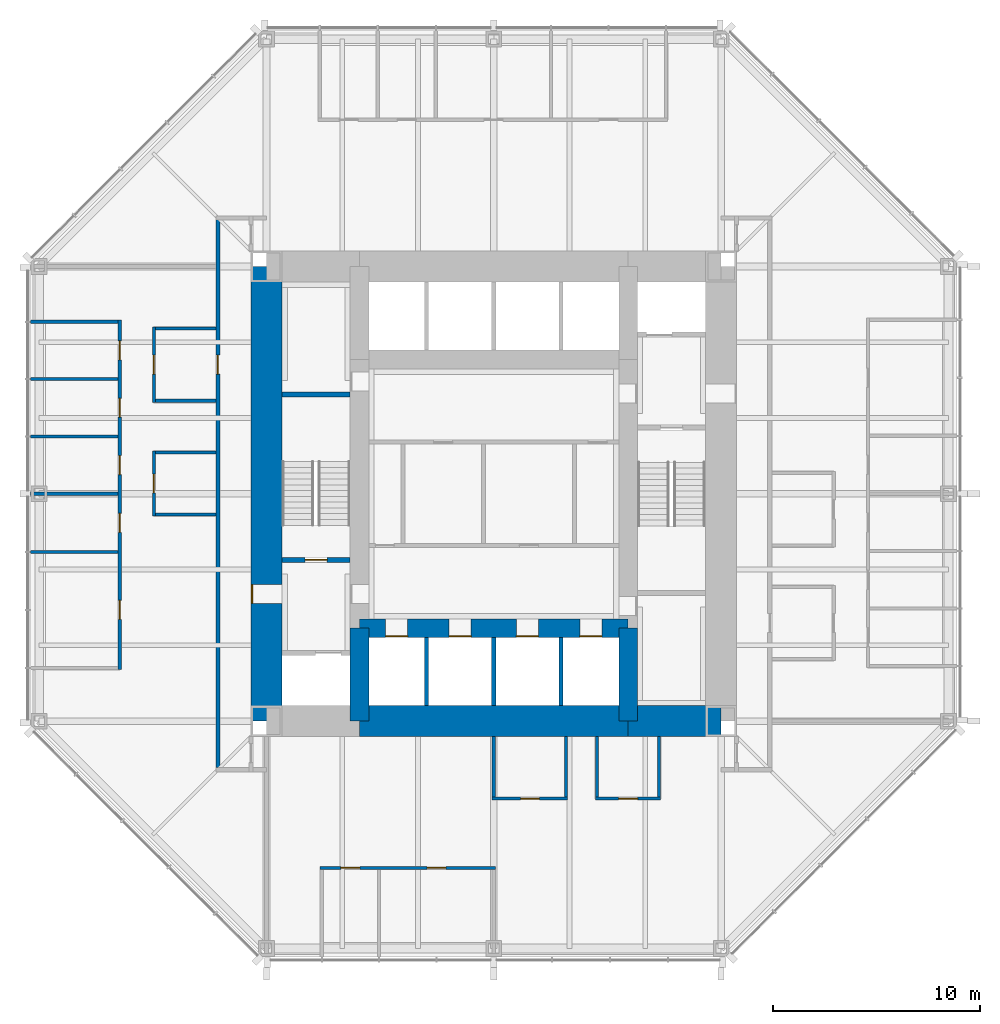
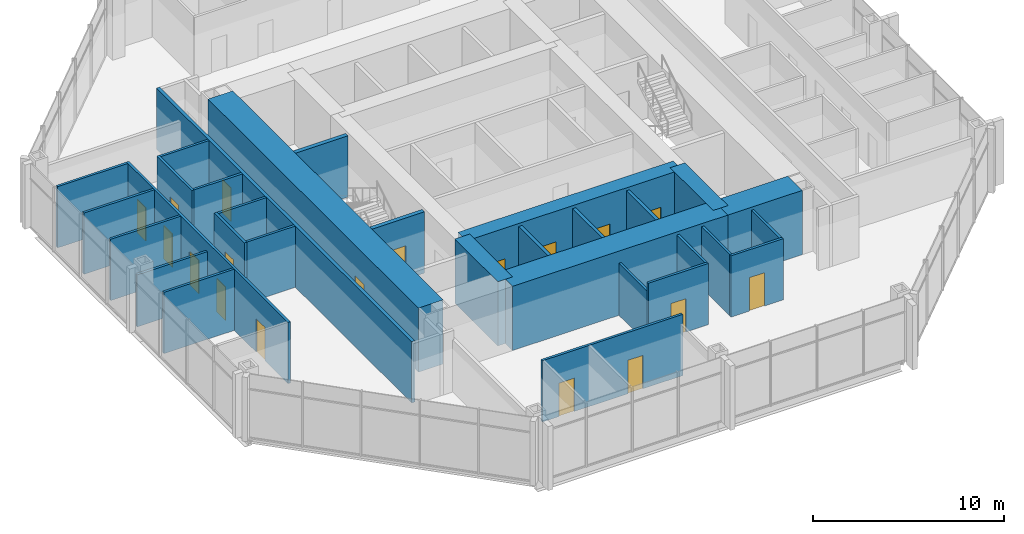
# One storey, part 9 of 12: 31 walls, 18 doors, 18 openings.
"""IFC4 building model written with IfcOpenShell, lengths in metres."""

from ifc_helpers import new_model, si_unit, direction, frame, frame_2d, origin, place, context, subcontext, project, spatial, rectangle, extrude, material, layer, layer_set, type_object, element, fill, save


model = new_model("IFC4")

# Units and contexts
model_context = context("Model", 3, precision=1e-05, world=origin(), true_north=direction((0.0, 1.0)))
body_context = subcontext(model_context, "Body", "Model", "MODEL_VIEW")
ifc_project = project(units=[si_unit("LENGTHUNIT", "METRE"), si_unit("AREAUNIT", "SQUARE_METRE"), si_unit("VOLUMEUNIT", "CUBIC_METRE"), si_unit("PLANEANGLEUNIT", "RADIAN"), si_unit("MASSUNIT", "GRAM", prefix="KILO")], contexts=[model_context])

# Site, building, storey
site_placement = place(None, origin())
site = spatial("IfcSite", under=ifc_project, at=site_placement, CompositionType="ELEMENT")
building_placement = place(site_placement, origin())
building = spatial("IfcBuilding", under=site, at=building_placement, Name="Trevanion Tower", CompositionType="ELEMENT")
storey_placement = place(building_placement, frame((0.0, 0.0, 121.300048828125)))
storey = spatial("IfcBuildingStorey", under=building, at=storey_placement, Name="L28", CompositionType="ELEMENT", Elevation=121.300048828125)

# Wall, opening, door
ifc_material_1 = material(Name="Concrete 10,000 psi", Category="concrete")
ifc_layer_1 = layer(ifc_material_1, 1.5)
ifc_layer_set_1 = layer_set([ifc_layer_1], Name="CW1 core wall 1500")
wall_type_1 = type_object("IfcWallType", Name="CW1 core wall 1500", PredefinedType="SHEAR", material=ifc_layer_set_1)
wall_1_placement = place(storey_placement, frame((-11.0, 11.0, 0.0), z_axis=(0.0, 0.0, 1.0), x_axis=(0.0, -1.0, 0.0)))
wall_1 = element("IfcWall", 1, at=wall_1_placement, inside=storey, type_object=wall_type_1, Name="CW1 CW L28", PredefinedType="SHEAR", context=body_context, shape_type="SweptSolid", body=[
    extrude(rectangle(XDim=22.0, YDim=1.5, at=frame_2d((11.0, 0.0))), origin(), (0.0, 0.0, 1.0), 4.099853515625),
])
opening_1_placement = place(wall_1_placement, frame((15.392578125, 0.0, 0.0)))
opening_1 = element("IfcOpeningElement", 2, at=opening_1_placement, cuts=wall_1, Name="Opening 28-002", PredefinedType="OPENING", context=body_context, shape_type="SweptSolid", body=[
    extrude(rectangle(XDim=0.9150390625, YDim=2.134033203125, at=frame_2d((0.45751953125, 1.06689453125))), frame((0.0, 0.760009765625, 0.0), z_axis=(0.0, -1.0, 0.0), x_axis=(1.0, 0.0, 0.0)), (0.0, 0.0, 1.0), 1.52001953125),
])
ifc_material_2 = material(Name="Hollow metal, fire rated", Category="steel")
door_type_1 = type_object("IfcDoorType", Name="D3 fire lift lobby door", OperationType="SINGLE_SWING_RIGHT", PredefinedType="DOOR", material=ifc_material_2)
door_1_placement = place(opening_1_placement, origin())
door_1 = element("IfcDoor", 3, at=door_1_placement, inside=storey, type_object=door_type_1, Name="Door 28-002", OperationType="SINGLE_SWING_RIGHT", OverallHeight=2.134033203125, OverallWidth=0.9150390625, PredefinedType="DOOR", context=body_context, shape_type="SweptSolid", body=[
    extrude(rectangle(XDim=0.9150390625, YDim=2.134033203125, at=frame_2d((0.45751953125, 1.06689453125))), frame((0.0, -0.6748046875, 0.0), z_axis=(0.0, -1.0, 0.0), x_axis=(1.0, 0.0, 0.0)), (0.0, 0.0, 1.0), 0.050048828125),
])
fill(opening_1, door_1)

# Walls
wall_2_placement = place(storey_placement, frame((-6.5, -11.0, 0.0), z_axis=(0.0, 0.0, 1.0), x_axis=(1.0, 0.0, 0.0)))
element("IfcWall", 4, at=wall_2_placement, inside=storey, type_object=wall_type_1, Name="CW1 CS2 L28", PredefinedType="SHEAR", context=body_context, shape_type="SweptSolid", body=[
    extrude(rectangle(XDim=13.0, YDim=1.5, at=frame_2d((6.5, 0.0))), origin(), (0.0, 0.0, 1.0), 4.099853515625),
])
wall_3_placement = place(storey_placement, frame((6.5, -11.0, 0.0), z_axis=(0.0, 0.0, 1.0), x_axis=(1.0, 0.0, 0.0)))
element("IfcWall", 5, at=wall_3_placement, inside=storey, type_object=wall_type_1, Name="CW1 CS3 L28", PredefinedType="SHEAR", context=body_context, shape_type="SweptSolid", body=[
    extrude(rectangle(XDim=4.5, YDim=1.5, at=frame_2d((2.25, 0.0))), origin(), (0.0, 0.0, 1.0), 4.099853515625),
])
ifc_material_3 = material(Name="Concrete 10,000 psi", Category="concrete")
ifc_layer_2 = layer(ifc_material_3, 0.89990234375)
ifc_layer_set_2 = layer_set([ifc_layer_2], Name="CW2 core wall 900")
wall_type_2 = type_object("IfcWallType", Name="CW2 core wall 900", PredefinedType="SHEAR", material=ifc_layer_set_2)
for number, where, z_axis, x_axis, name in (
    (6, (6.5, -11.0, 0.0), (0.0, 0.0, 1.0), (0.0, 1.0, 0.0), "CW2 RE1 L28"),
    (7, (-6.5, -6.5, 0.0), (0.0, 0.0, 1.0), (0.0, -1.0, 0.0), "CW2 RW3 L28"),
):
    element("IfcWall", number, at=place(storey_placement, frame(where, z_axis=z_axis, x_axis=x_axis)), inside=storey, type_object=wall_type_2, Name=name, PredefinedType="SHEAR", context=body_context, shape_type="SweptSolid", body=[
        extrude(rectangle(XDim=4.5, YDim=0.89990234375, at=frame_2d((2.25, 0.0))), origin(), (0.0, 0.0, 1.0), 4.099853515625),
    ])

# Wall, openings, doors
wall_4_placement = place(storey_placement, frame((-6.5, -6.5, 0.0), z_axis=(0.0, 0.0, 1.0), x_axis=(1.0, 0.0, 0.0)))
wall_4 = element("IfcWall", 8, at=wall_4_placement, inside=storey, type_object=wall_type_2, Name="CW2 RS L28", PredefinedType="SHEAR", context=body_context, shape_type="SweptSolid", body=[
    extrude(rectangle(XDim=13.0, YDim=0.89990234375, at=frame_2d((6.5, 0.0))), origin(), (0.0, 0.0, 1.0), 4.099853515625),
])
opening_2_placement = place(wall_4_placement, frame((1.2666015625, 0.0, 0.0)))
opening_2 = element("IfcOpeningElement", 9, at=opening_2_placement, cuts=wall_4, Name="Opening 28-011", PredefinedType="OPENING", context=body_context, shape_type="SweptSolid", body=[
    extrude(rectangle(XDim=1.06689453125, YDim=2.134033203125, at=frame_2d((0.533447265625, 1.06689453125))), frame((0.0, 0.4599609375, 0.0), z_axis=(0.0, -1.0, 0.0), x_axis=(1.0, 0.0, 0.0)), (0.0, 0.0, 1.0), 0.919921875),
])
opening_3_placement = place(wall_4_placement, frame((4.341552734375, 0.0, 0.0)))
opening_3 = element("IfcOpeningElement", 10, at=opening_3_placement, cuts=wall_4, Name="Opening 28-012", PredefinedType="OPENING", context=body_context, shape_type="SweptSolid", body=[
    extrude(rectangle(XDim=1.06689453125, YDim=2.134033203125, at=frame_2d((0.533447265625, 1.06689453125))), frame((0.0, 0.4599609375, 0.0), z_axis=(0.0, -1.0, 0.0), x_axis=(1.0, 0.0, 0.0)), (0.0, 0.0, 1.0), 0.919921875),
])
opening_4_placement = place(wall_4_placement, frame((7.591552734375, 0.0, 0.0)))
opening_4 = element("IfcOpeningElement", 11, at=opening_4_placement, cuts=wall_4, Name="Opening 28-013", PredefinedType="OPENING", context=body_context, shape_type="SweptSolid", body=[
    extrude(rectangle(XDim=1.06689453125, YDim=2.134033203125, at=frame_2d((0.533447265625, 1.06689453125))), frame((0.0, 0.4599609375, 0.0), z_axis=(0.0, -1.0, 0.0), x_axis=(1.0, 0.0, 0.0)), (0.0, 0.0, 1.0), 0.919921875),
])
opening_5_placement = place(wall_4_placement, frame((10.66650390625, 0.0, 0.0)))
opening_5 = element("IfcOpeningElement", 12, at=opening_5_placement, cuts=wall_4, Name="Opening 28-014", PredefinedType="OPENING", context=body_context, shape_type="SweptSolid", body=[
    extrude(rectangle(XDim=1.06689453125, YDim=2.134033203125, at=frame_2d((0.533447265625, 1.06689453125))), frame((0.0, 0.4599609375, 0.0), z_axis=(0.0, -1.0, 0.0), x_axis=(1.0, 0.0, 0.0)), (0.0, 0.0, 1.0), 0.919921875),
])
ifc_material_4 = material(Name="Stainless steel, fire rated", Category="steel")
door_type_2 = type_object("IfcDoorType", Name="LD1 lift landing door", OperationType="SLIDING_TO_LEFT", PredefinedType="DOOR", material=ifc_material_4)
door_2_placement = place(opening_2_placement, origin())
door_2 = element("IfcDoor", 13, at=door_2_placement, inside=storey, type_object=door_type_2, Name="Door 28-011", OperationType="SLIDING_TO_LEFT", OverallHeight=2.134033203125, OverallWidth=1.06689453125, PredefinedType="DOOR", context=body_context, shape_type="SweptSolid", body=[
    extrude(rectangle(XDim=1.06689453125, YDim=2.134033203125, at=frame_2d((0.533447265625, 1.06689453125))), frame((0.0, -0.375, 0.0), z_axis=(0.0, -1.0, 0.0), x_axis=(1.0, 0.0, 0.0)), (0.0, 0.0, 1.0), 0.050048828125),
])
fill(opening_2, door_2)
door_3_placement = place(opening_3_placement, origin())
door_3 = element("IfcDoor", 14, at=door_3_placement, inside=storey, type_object=door_type_2, Name="Door 28-012", OperationType="SLIDING_TO_LEFT", OverallHeight=2.134033203125, OverallWidth=1.06689453125, PredefinedType="DOOR", context=body_context, shape_type="SweptSolid", body=[
    extrude(rectangle(XDim=1.06689453125, YDim=2.134033203125, at=frame_2d((0.533447265625, 1.06689453125))), frame((0.0, -0.375, 0.0), z_axis=(0.0, -1.0, 0.0), x_axis=(1.0, 0.0, 0.0)), (0.0, 0.0, 1.0), 0.050048828125),
])
fill(opening_3, door_3)
door_4_placement = place(opening_4_placement, origin())
door_4 = element("IfcDoor", 15, at=door_4_placement, inside=storey, type_object=door_type_2, Name="Door 28-013", OperationType="SLIDING_TO_LEFT", OverallHeight=2.134033203125, OverallWidth=1.06689453125, PredefinedType="DOOR", context=body_context, shape_type="SweptSolid", body=[
    extrude(rectangle(XDim=1.06689453125, YDim=2.134033203125, at=frame_2d((0.533447265625, 1.06689453125))), frame((0.0, -0.375, 0.0), z_axis=(0.0, -1.0, 0.0), x_axis=(1.0, 0.0, 0.0)), (0.0, 0.0, 1.0), 0.050048828125),
])
fill(opening_4, door_4)
door_5_placement = place(opening_5_placement, origin())
door_5 = element("IfcDoor", 16, at=door_5_placement, inside=storey, type_object=door_type_2, Name="Door 28-014", OperationType="SLIDING_TO_LEFT", OverallHeight=2.134033203125, OverallWidth=1.06689453125, PredefinedType="DOOR", context=body_context, shape_type="SweptSolid", body=[
    extrude(rectangle(XDim=1.06689453125, YDim=2.134033203125, at=frame_2d((0.533447265625, 1.06689453125))), frame((0.0, -0.375, 0.0), z_axis=(0.0, -1.0, 0.0), x_axis=(1.0, 0.0, 0.0)), (0.0, 0.0, 1.0), 0.050048828125),
])
fill(opening_5, door_5)

ifc_material_5 = material(Name="Gypsum board on steel studs", Category="steel")
ifc_layer_3 = layer(ifc_material_5, 0.14990234375)
ifc_layer_set_3 = layer_set([ifc_layer_3], Name="PT1 partition 150")
wall_type_3 = type_object("IfcWallType", Name="PT1 partition 150", PredefinedType="PARTITIONING", material=ifc_layer_set_3)
wall_5_placement = place(storey_placement, frame((-18.10009765625, 8.39794921875, 0.0), z_axis=(0.0, 0.0, 1.0), x_axis=(0.0, -1.0, 0.0)))
wall_5 = element("IfcWall", 17, at=wall_5_placement, inside=storey, type_object=wall_type_3, Name="PT1 L28 FC2F", PredefinedType="PARTITIONING", context=body_context, shape_type="SweptSolid", body=[
    extrude(rectangle(XDim=16.89404296875, YDim=0.14990234375, at=frame_2d((8.447021484375, 0.0))), origin(), (0.0, 0.0, 1.0), 3.909912109375),
])
opening_6_placement = place(wall_5_placement, frame((1.00439453125, 0.0, 0.0)))
opening_6 = element("IfcOpeningElement", 18, at=opening_6_placement, cuts=wall_5, Name="Opening 28-032", PredefinedType="OPENING", context=body_context, shape_type="SweptSolid", body=[
    extrude(rectangle(XDim=0.9150390625, YDim=2.134033203125, at=frame_2d((0.45751953125, 1.06689453125))), frame((0.0, 0.0849609375, 0.0), z_axis=(0.0, -1.0, 0.0), x_axis=(1.0, 0.0, 0.0)), (0.0, 0.0, 1.0), 0.169921875),
])
opening_7_placement = place(wall_5_placement, frame((3.778564453125, 0.0, 0.0)))
opening_7 = element("IfcOpeningElement", 19, at=opening_7_placement, cuts=wall_5, Name="Opening 28-033", PredefinedType="OPENING", context=body_context, shape_type="SweptSolid", body=[
    extrude(rectangle(XDim=0.9150390625, YDim=2.134033203125, at=frame_2d((0.45751953125, 1.06689453125))), frame((0.0, 0.0849609375, 0.0), z_axis=(0.0, -1.0, 0.0), x_axis=(1.0, 0.0, 0.0)), (0.0, 0.0, 1.0), 0.169921875),
])
opening_8_placement = place(wall_5_placement, frame((6.552978515625, 0.0, 0.0)))
opening_8 = element("IfcOpeningElement", 20, at=opening_8_placement, cuts=wall_5, Name="Opening 28-034", PredefinedType="OPENING", context=body_context, shape_type="SweptSolid", body=[
    extrude(rectangle(XDim=0.9150390625, YDim=2.134033203125, at=frame_2d((0.45751953125, 1.06689453125))), frame((0.0, 0.0849609375, 0.0), z_axis=(0.0, -1.0, 0.0), x_axis=(1.0, 0.0, 0.0)), (0.0, 0.0, 1.0), 0.169921875),
])
opening_9_placement = place(wall_5_placement, frame((9.343994140625, 0.0, 0.0)))
opening_9 = element("IfcOpeningElement", 21, at=opening_9_placement, cuts=wall_5, Name="Opening 28-035", PredefinedType="OPENING", context=body_context, shape_type="SweptSolid", body=[
    extrude(rectangle(XDim=0.9150390625, YDim=2.134033203125, at=frame_2d((0.45751953125, 1.06689453125))), frame((0.0, 0.0849609375, 0.0), z_axis=(0.0, -1.0, 0.0), x_axis=(1.0, 0.0, 0.0)), (0.0, 0.0, 1.0), 0.169921875),
])
opening_10_placement = place(wall_5_placement, frame((13.554443359375, 0.0, 0.0)))
opening_10 = element("IfcOpeningElement", 22, at=opening_10_placement, cuts=wall_5, Name="Opening 28-036", PredefinedType="OPENING", context=body_context, shape_type="SweptSolid", body=[
    extrude(rectangle(XDim=0.9150390625, YDim=2.134033203125, at=frame_2d((0.45751953125, 1.06689453125))), frame((0.0, 0.0849609375, 0.0), z_axis=(0.0, -1.0, 0.0), x_axis=(1.0, 0.0, 0.0)), (0.0, 0.0, 1.0), 0.169921875),
])
ifc_material_6 = material(Name="Timber veneer, solid core", Category="wood")
door_type_3 = type_object("IfcDoorType", Name="D1 office and meeting room door", OperationType="SINGLE_SWING_LEFT", PredefinedType="DOOR", material=ifc_material_6)
door_6_placement = place(opening_6_placement, origin())
door_6 = element("IfcDoor", 23, at=door_6_placement, inside=storey, type_object=door_type_3, Name="Door 28-032", OperationType="SINGLE_SWING_LEFT", OverallHeight=2.134033203125, OverallWidth=0.9150390625, PredefinedType="DOOR", context=body_context, shape_type="SweptSolid", body=[
    extrude(rectangle(XDim=0.9150390625, YDim=2.134033203125, at=frame_2d((0.45751953125, 1.06689453125))), frame((0.0, 0.02490234375, 0.0), z_axis=(0.0, -1.0, 0.0), x_axis=(1.0, 0.0, 0.0)), (0.0, 0.0, 1.0), 0.050048828125),
])
fill(opening_6, door_6)
door_7_placement = place(opening_7_placement, origin())
door_7 = element("IfcDoor", 24, at=door_7_placement, inside=storey, type_object=door_type_3, Name="Door 28-033", OperationType="SINGLE_SWING_LEFT", OverallHeight=2.134033203125, OverallWidth=0.9150390625, PredefinedType="DOOR", context=body_context, shape_type="SweptSolid", body=[
    extrude(rectangle(XDim=0.9150390625, YDim=2.134033203125, at=frame_2d((0.45751953125, 1.06689453125))), frame((0.0, 0.02490234375, 0.0), z_axis=(0.0, -1.0, 0.0), x_axis=(1.0, 0.0, 0.0)), (0.0, 0.0, 1.0), 0.050048828125),
])
fill(opening_7, door_7)
door_8_placement = place(opening_8_placement, origin())
door_8 = element("IfcDoor", 25, at=door_8_placement, inside=storey, type_object=door_type_3, Name="Door 28-034", OperationType="SINGLE_SWING_LEFT", OverallHeight=2.134033203125, OverallWidth=0.9150390625, PredefinedType="DOOR", context=body_context, shape_type="SweptSolid", body=[
    extrude(rectangle(XDim=0.9150390625, YDim=2.134033203125, at=frame_2d((0.45751953125, 1.06689453125))), frame((0.0, 0.02490234375, 0.0), z_axis=(0.0, -1.0, 0.0), x_axis=(1.0, 0.0, 0.0)), (0.0, 0.0, 1.0), 0.050048828125),
])
fill(opening_8, door_8)
door_9_placement = place(opening_9_placement, origin())
door_9 = element("IfcDoor", 26, at=door_9_placement, inside=storey, type_object=door_type_3, Name="Door 28-035", OperationType="SINGLE_SWING_LEFT", OverallHeight=2.134033203125, OverallWidth=0.9150390625, PredefinedType="DOOR", context=body_context, shape_type="SweptSolid", body=[
    extrude(rectangle(XDim=0.9150390625, YDim=2.134033203125, at=frame_2d((0.45751953125, 1.06689453125))), frame((0.0, 0.02490234375, 0.0), z_axis=(0.0, -1.0, 0.0), x_axis=(1.0, 0.0, 0.0)), (0.0, 0.0, 1.0), 0.050048828125),
])
fill(opening_9, door_9)
door_10_placement = place(opening_10_placement, origin())
door_10 = element("IfcDoor", 27, at=door_10_placement, inside=storey, type_object=door_type_3, Name="Door 28-036", OperationType="SINGLE_SWING_LEFT", OverallHeight=2.134033203125, OverallWidth=0.9150390625, PredefinedType="DOOR", context=body_context, shape_type="SweptSolid", body=[
    extrude(rectangle(XDim=0.9150390625, YDim=2.134033203125, at=frame_2d((0.45751953125, 1.06689453125))), frame((0.0, 0.02490234375, 0.0), z_axis=(0.0, -1.0, 0.0), x_axis=(1.0, 0.0, 0.0)), (0.0, 0.0, 1.0), 0.050048828125),
])
fill(opening_10, door_10)

# Walls
for number, where, z_axis, x_axis, name in (
    (28, (-18.175048828125, 8.322998046875, 0.0), (0.0, 0.0, 1.0), (-1.0, 0.0, 0.0), "PT1 L28 FC2S0"),
    (29, (-18.175048828125, 5.549072265625, 0.0), (0.0, 0.0, 1.0), (-1.0, 0.0, 0.0), "PT1 L28 FC2S1"),
    (30, (-18.175048828125, 2.77490234375, 0.0), (0.0, 0.0, 1.0), (-1.0, 0.0, 0.0), "PT1 L28 FC2S2"),
):
    element("IfcWall", number, at=place(storey_placement, frame(where, z_axis=z_axis, x_axis=x_axis)), inside=storey, type_object=wall_type_3, Name=name, PredefinedType="PARTITIONING", context=body_context, shape_type="SweptSolid", body=[
        extrude(rectangle(XDim=4.239990234375, YDim=0.14990234375, at=frame_2d((2.1201171875, 0.0))), origin(), (0.0, 0.0, 1.0), 3.909912109375),
    ])
wall_6_placement = place(storey_placement, frame((-18.175048828125, 0.0, 0.0), z_axis=(0.0, 0.0, 1.0), x_axis=(-1.0, 0.0, 0.0)))
element("IfcWall", 31, at=wall_6_placement, inside=storey, type_object=wall_type_3, Name="PT1 L28 FC2S3", PredefinedType="PARTITIONING", context=body_context, shape_type="SweptSolid", body=[
    extrude(rectangle(XDim=4.239990234375, YDim=0.14990234375, at=frame_2d((2.1201171875, 0.0))), origin(), (0.0, 0.0, 1.0), 3.32568359375),
])
wall_7_placement = place(storey_placement, frame((-18.175048828125, -2.806884765625, 0.0), z_axis=(0.0, 0.0, 1.0), x_axis=(-1.0, 0.0, 0.0)))
element("IfcWall", 32, at=wall_7_placement, inside=storey, type_object=wall_type_3, Name="PT1 L28 FC2S4", PredefinedType="PARTITIONING", context=body_context, shape_type="SweptSolid", body=[
    extrude(rectangle(XDim=4.239990234375, YDim=0.14990234375, at=frame_2d((2.1201171875, 0.0))), origin(), (0.0, 0.0, 1.0), 3.909912109375),
])

# Wall, openings, doors
wall_8_placement = place(storey_placement, frame((-8.39794921875, -18.10009765625, 0.0), z_axis=(0.0, 0.0, 1.0), x_axis=(1.0, 0.0, 0.0)))
wall_8 = element("IfcWall", 33, at=wall_8_placement, inside=storey, type_object=wall_type_3, Name="PT1 L28 FC3F", PredefinedType="PARTITIONING", context=body_context, shape_type="SweptSolid", body=[
    extrude(rectangle(XDim=8.472900390625, YDim=0.14990234375, at=frame_2d((4.236328125, 0.0))), origin(), (0.0, 0.0, 1.0), 3.909912109375),
])
opening_11_placement = place(wall_8_placement, frame((1.00439453125, 0.0, 0.0)))
opening_11 = element("IfcOpeningElement", 34, at=opening_11_placement, cuts=wall_8, Name="Opening 28-037", PredefinedType="OPENING", context=body_context, shape_type="SweptSolid", body=[
    extrude(rectangle(XDim=0.9150390625, YDim=2.134033203125, at=frame_2d((0.45751953125, 1.06689453125))), frame((0.0, 0.0849609375, 0.0), z_axis=(0.0, -1.0, 0.0), x_axis=(1.0, 0.0, 0.0)), (0.0, 0.0, 1.0), 0.169921875),
])
opening_12_placement = place(wall_8_placement, frame((5.166015625, 0.0, 0.0)))
opening_12 = element("IfcOpeningElement", 35, at=opening_12_placement, cuts=wall_8, Name="Opening 28-038", PredefinedType="OPENING", context=body_context, shape_type="SweptSolid", body=[
    extrude(rectangle(XDim=0.9150390625, YDim=2.134033203125, at=frame_2d((0.45751953125, 1.06689453125))), frame((0.0, 0.0849609375, 0.0), z_axis=(0.0, -1.0, 0.0), x_axis=(1.0, 0.0, 0.0)), (0.0, 0.0, 1.0), 0.169921875),
])
door_11_placement = place(opening_11_placement, origin())
door_11 = element("IfcDoor", 36, at=door_11_placement, inside=storey, type_object=door_type_3, Name="Door 28-037", OperationType="SINGLE_SWING_LEFT", OverallHeight=2.134033203125, OverallWidth=0.9150390625, PredefinedType="DOOR", context=body_context, shape_type="SweptSolid", body=[
    extrude(rectangle(XDim=0.9150390625, YDim=2.134033203125, at=frame_2d((0.45751953125, 1.06689453125))), frame((0.0, 0.02490234375, 0.0), z_axis=(0.0, -1.0, 0.0), x_axis=(1.0, 0.0, 0.0)), (0.0, 0.0, 1.0), 0.050048828125),
])
fill(opening_11, door_11)
door_12_placement = place(opening_12_placement, origin())
door_12 = element("IfcDoor", 37, at=door_12_placement, inside=storey, type_object=door_type_3, Name="Door 28-038", OperationType="SINGLE_SWING_LEFT", OverallHeight=2.134033203125, OverallWidth=0.9150390625, PredefinedType="DOOR", context=body_context, shape_type="SweptSolid", body=[
    extrude(rectangle(XDim=0.9150390625, YDim=2.134033203125, at=frame_2d((0.45751953125, 1.06689453125))), frame((0.0, 0.02490234375, 0.0), z_axis=(0.0, -1.0, 0.0), x_axis=(1.0, 0.0, 0.0)), (0.0, 0.0, 1.0), 0.050048828125),
])
fill(opening_12, door_12)

# Wall, opening, door
wall_9_placement = place(storey_placement, frame((-16.449951171875, 8.074951171875, 0.0), z_axis=(0.0, 0.0, 1.0), x_axis=(0.0, -1.0, 0.0)))
wall_9 = element("IfcWall", 38, at=wall_9_placement, inside=storey, type_object=wall_type_3, Name="PT1 L28 IN20F", PredefinedType="PARTITIONING", context=body_context, shape_type="SweptSolid", body=[
    extrude(rectangle(XDim=3.64990234375, YDim=0.14990234375, at=frame_2d((1.824951171875, 0.0))), origin(), (0.0, 0.0, 1.0), 3.909912109375),
])
opening_13_placement = place(wall_9_placement, frame((1.367431640625, 0.0, 0.0)))
opening_13 = element("IfcOpeningElement", 39, at=opening_13_placement, cuts=wall_9, Name="Opening 28-042", PredefinedType="OPENING", context=body_context, shape_type="SweptSolid", body=[
    extrude(rectangle(XDim=0.9150390625, YDim=2.134033203125, at=frame_2d((0.45751953125, 1.06689453125))), frame((0.0, 0.0849609375, 0.0), z_axis=(0.0, -1.0, 0.0), x_axis=(1.0, 0.0, 0.0)), (0.0, 0.0, 1.0), 0.169921875),
])
door_13_placement = place(opening_13_placement, origin())
door_13 = element("IfcDoor", 40, at=door_13_placement, inside=storey, type_object=door_type_3, Name="Door 28-042", OperationType="SINGLE_SWING_LEFT", OverallHeight=2.134033203125, OverallWidth=0.9150390625, PredefinedType="DOOR", context=body_context, shape_type="SweptSolid", body=[
    extrude(rectangle(XDim=0.9150390625, YDim=2.134033203125, at=frame_2d((0.45751953125, 1.06689453125))), frame((0.0, 0.02490234375, 0.0), z_axis=(0.0, -1.0, 0.0), x_axis=(1.0, 0.0, 0.0)), (0.0, 0.0, 1.0), 0.050048828125),
])
fill(opening_13, door_13)

# Walls
for number, where, z_axis, x_axis, name in (
    (41, (-16.375, 8.0, 0.0), (0.0, 0.0, 1.0), (1.0, 0.0, 0.0), "PT1 L28 IN20S0"),
    (42, (-16.375, 4.5, 0.0), (0.0, 0.0, 1.0), (1.0, 0.0, 0.0), "PT1 L28 IN20S1"),
):
    element("IfcWall", number, at=place(storey_placement, frame(where, z_axis=z_axis, x_axis=x_axis)), inside=storey, type_object=wall_type_3, Name=name, PredefinedType="PARTITIONING", context=body_context, shape_type="SweptSolid", body=[
        extrude(rectangle(XDim=2.925048828125, YDim=0.14990234375, at=frame_2d((1.46240234375, 0.0))), origin(), (0.0, 0.0, 1.0), 3.909912109375),
    ])

# Wall, opening, door
wall_10_placement = place(storey_placement, frame((-16.449951171875, 2.074951171875, 0.0), z_axis=(0.0, 0.0, 1.0), x_axis=(0.0, -1.0, 0.0)))
wall_10 = element("IfcWall", 43, at=wall_10_placement, inside=storey, type_object=wall_type_3, Name="PT1 L28 IN21F", PredefinedType="PARTITIONING", context=body_context, shape_type="SweptSolid", body=[
    extrude(rectangle(XDim=3.14990234375, YDim=0.14990234375, at=frame_2d((1.574951171875, 0.0))), origin(), (0.0, 0.0, 1.0), 3.909912109375),
])
opening_14_placement = place(wall_10_placement, frame((1.117431640625, 0.0, 0.0)))
opening_14 = element("IfcOpeningElement", 44, at=opening_14_placement, cuts=wall_10, Name="Opening 28-044", PredefinedType="OPENING", context=body_context, shape_type="SweptSolid", body=[
    extrude(rectangle(XDim=0.9150390625, YDim=2.134033203125, at=frame_2d((0.45751953125, 1.06689453125))), frame((0.0, 0.0849609375, 0.0), z_axis=(0.0, -1.0, 0.0), x_axis=(1.0, 0.0, 0.0)), (0.0, 0.0, 1.0), 0.169921875),
])
door_14_placement = place(opening_14_placement, origin())
door_14 = element("IfcDoor", 45, at=door_14_placement, inside=storey, type_object=door_type_3, Name="Door 28-044", OperationType="SINGLE_SWING_LEFT", OverallHeight=2.134033203125, OverallWidth=0.9150390625, PredefinedType="DOOR", context=body_context, shape_type="SweptSolid", body=[
    extrude(rectangle(XDim=0.9150390625, YDim=2.134033203125, at=frame_2d((0.45751953125, 1.06689453125))), frame((0.0, 0.02490234375, 0.0), z_axis=(0.0, -1.0, 0.0), x_axis=(1.0, 0.0, 0.0)), (0.0, 0.0, 1.0), 0.050048828125),
])
fill(opening_14, door_14)

# Walls
for number, where, z_axis, x_axis, name in (
    (46, (-16.375, 2.0, 0.0), (0.0, 0.0, 1.0), (1.0, 0.0, 0.0), "PT1 L28 IN21S0"),
    (47, (-16.375, -1.0, 0.0), (0.0, 0.0, 1.0), (1.0, 0.0, 0.0), "PT1 L28 IN21S1"),
):
    element("IfcWall", number, at=place(storey_placement, frame(where, z_axis=z_axis, x_axis=x_axis)), inside=storey, type_object=wall_type_3, Name=name, PredefinedType="PARTITIONING", context=body_context, shape_type="SweptSolid", body=[
        extrude(rectangle(XDim=2.925048828125, YDim=0.14990234375, at=frame_2d((1.46240234375, 0.0))), origin(), (0.0, 0.0, 1.0), 3.909912109375),
    ])

# Wall, opening, door
wall_11_placement = place(storey_placement, frame((-0.074951171875, -14.75, 0.0), z_axis=(0.0, 0.0, 1.0), x_axis=(1.0, 0.0, 0.0)))
wall_11 = element("IfcWall", 48, at=wall_11_placement, inside=storey, type_object=wall_type_3, Name="PT1 L28 IN30F", PredefinedType="PARTITIONING", context=body_context, shape_type="SweptSolid", body=[
    extrude(rectangle(XDim=3.64990234375, YDim=0.14990234375, at=frame_2d((1.824951171875, 0.0))), origin(), (0.0, 0.0, 1.0), 3.909912109375),
])
opening_15_placement = place(wall_11_placement, frame((1.367431640625, 0.0, 0.0)))
opening_15 = element("IfcOpeningElement", 49, at=opening_15_placement, cuts=wall_11, Name="Opening 28-045", PredefinedType="OPENING", context=body_context, shape_type="SweptSolid", body=[
    extrude(rectangle(XDim=0.9150390625, YDim=2.134033203125, at=frame_2d((0.45751953125, 1.06689453125))), frame((0.0, 0.0849609375, 0.0), z_axis=(0.0, -1.0, 0.0), x_axis=(1.0, 0.0, 0.0)), (0.0, 0.0, 1.0), 0.169921875),
])
door_15_placement = place(opening_15_placement, origin())
door_15 = element("IfcDoor", 50, at=door_15_placement, inside=storey, type_object=door_type_3, Name="Door 28-045", OperationType="SINGLE_SWING_LEFT", OverallHeight=2.134033203125, OverallWidth=0.9150390625, PredefinedType="DOOR", context=body_context, shape_type="SweptSolid", body=[
    extrude(rectangle(XDim=0.9150390625, YDim=2.134033203125, at=frame_2d((0.45751953125, 1.06689453125))), frame((0.0, 0.02490234375, 0.0), z_axis=(0.0, -1.0, 0.0), x_axis=(1.0, 0.0, 0.0)), (0.0, 0.0, 1.0), 0.050048828125),
])
fill(opening_15, door_15)

# Walls
wall_12_placement = place(storey_placement, frame((0.0, -14.675048828125, 0.0), z_axis=(0.0, 0.0, 1.0), x_axis=(0.0, 1.0, 0.0)))
element("IfcWall", 51, at=wall_12_placement, inside=storey, type_object=wall_type_3, Name="PT1 L28 IN30S0", PredefinedType="PARTITIONING", context=body_context, shape_type="SweptSolid", body=[
    extrude(rectangle(XDim=2.925048828125, YDim=0.14990234375, at=frame_2d((1.46240234375, 0.0))), origin(), (0.0, 0.0, 1.0), 3.32568359375),
])
wall_13_placement = place(storey_placement, frame((3.5, -14.675048828125, 0.0), z_axis=(0.0, 0.0, 1.0), x_axis=(0.0, 1.0, 0.0)))
element("IfcWall", 52, at=wall_13_placement, inside=storey, type_object=wall_type_3, Name="PT1 L28 IN30S1", PredefinedType="PARTITIONING", context=body_context, shape_type="SweptSolid", body=[
    extrude(rectangle(XDim=2.925048828125, YDim=0.14990234375, at=frame_2d((1.46240234375, 0.0))), origin(), (0.0, 0.0, 1.0), 3.909912109375),
])

# Wall, opening, door
wall_14_placement = place(storey_placement, frame((4.925048828125, -14.75, 0.0), z_axis=(0.0, 0.0, 1.0), x_axis=(1.0, 0.0, 0.0)))
wall_14 = element("IfcWall", 53, at=wall_14_placement, inside=storey, type_object=wall_type_3, Name="PT1 L28 IN31F", PredefinedType="PARTITIONING", context=body_context, shape_type="SweptSolid", body=[
    extrude(rectangle(XDim=3.14990234375, YDim=0.14990234375, at=frame_2d((1.574951171875, 0.0))), origin(), (0.0, 0.0, 1.0), 3.909912109375),
])
opening_16_placement = place(wall_14_placement, frame((1.117431640625, 0.0, 0.0)))
opening_16 = element("IfcOpeningElement", 54, at=opening_16_placement, cuts=wall_14, Name="Opening 28-046", PredefinedType="OPENING", context=body_context, shape_type="SweptSolid", body=[
    extrude(rectangle(XDim=0.9150390625, YDim=2.134033203125, at=frame_2d((0.45751953125, 1.06689453125))), frame((0.0, 0.0849609375, 0.0), z_axis=(0.0, -1.0, 0.0), x_axis=(1.0, 0.0, 0.0)), (0.0, 0.0, 1.0), 0.169921875),
])
door_16_placement = place(opening_16_placement, origin())
door_16 = element("IfcDoor", 55, at=door_16_placement, inside=storey, type_object=door_type_3, Name="Door 28-046", OperationType="SINGLE_SWING_LEFT", OverallHeight=2.134033203125, OverallWidth=0.9150390625, PredefinedType="DOOR", context=body_context, shape_type="SweptSolid", body=[
    extrude(rectangle(XDim=0.9150390625, YDim=2.134033203125, at=frame_2d((0.45751953125, 1.06689453125))), frame((0.0, 0.02490234375, 0.0), z_axis=(0.0, -1.0, 0.0), x_axis=(1.0, 0.0, 0.0)), (0.0, 0.0, 1.0), 0.050048828125),
])
fill(opening_16, door_16)

# Walls
for number, where, z_axis, x_axis, name in (
    (56, (5.0, -14.675048828125, 0.0), (0.0, 0.0, 1.0), (0.0, 1.0, 0.0), "PT1 L28 IN31S0"),
    (57, (8.0, -14.675048828125, 0.0), (0.0, 0.0, 1.0), (0.0, 1.0, 0.0), "PT1 L28 IN31S1"),
):
    element("IfcWall", number, at=place(storey_placement, frame(where, z_axis=z_axis, x_axis=x_axis)), inside=storey, type_object=wall_type_3, Name=name, PredefinedType="PARTITIONING", context=body_context, shape_type="SweptSolid", body=[
        extrude(rectangle(XDim=2.925048828125, YDim=0.14990234375, at=frame_2d((1.46240234375, 0.0))), origin(), (0.0, 0.0, 1.0), 3.909912109375),
    ])

# Wall, opening, door
ifc_material_7 = material(Name="Concrete masonry, grouted", Category="masonry")
ifc_layer_4 = layer(ifc_material_7, 0.199951171875)
ifc_layer_set_4 = layer_set([ifc_layer_4], Name="PT2 partition 200 1 HR")
wall_type_4 = type_object("IfcWallType", Name="PT2 partition 200 1 HR", PredefinedType="PARTITIONING", material=ifc_layer_set_4)
wall_15_placement = place(storey_placement, frame((-13.35009765625, 13.449951171875, 0.0), z_axis=(0.0, 0.0, 1.0), x_axis=(0.0, -1.0, 0.0)))
wall_15 = element("IfcWall", 58, at=wall_15_placement, inside=storey, type_object=wall_type_4, Name="PT2 L28 OC2", PredefinedType="PARTITIONING", context=body_context, shape_type="SweptSolid", body=[
    extrude(rectangle(XDim=26.699951171875, YDim=0.199951171875, at=frame_2d((13.35009765625, 0.0))), origin(), (0.0, 0.0, 1.0), 3.909912109375),
])
opening_17_placement = place(wall_15_placement, frame((6.742431640625, 0.0, 0.0)))
opening_17 = element("IfcOpeningElement", 59, at=opening_17_placement, cuts=wall_15, Name="Opening 28-043", PredefinedType="OPENING", context=body_context, shape_type="SweptSolid", body=[
    extrude(rectangle(XDim=0.9150390625, YDim=2.134033203125, at=frame_2d((0.45751953125, 1.06689453125))), frame((0.0, 0.10986328125, 0.0), z_axis=(0.0, -1.0, 0.0), x_axis=(1.0, 0.0, 0.0)), (0.0, 0.0, 1.0), 0.219970703125),
])
ifc_material_8 = material(Name="Timber veneer, fire rated", Category="wood")
door_type_4 = type_object("IfcDoorType", Name="D10 office door in a one hour wall", OperationType="SINGLE_SWING_LEFT", PredefinedType="DOOR", material=ifc_material_8)
door_17_placement = place(opening_17_placement, origin())
door_17 = element("IfcDoor", 60, at=door_17_placement, inside=storey, type_object=door_type_4, Name="Door 28-043", OperationType="SINGLE_SWING_LEFT", OverallHeight=2.134033203125, OverallWidth=0.9150390625, PredefinedType="DOOR", context=body_context, shape_type="SweptSolid", body=[
    extrude(rectangle(XDim=0.9150390625, YDim=2.134033203125, at=frame_2d((0.45751953125, 1.06689453125))), frame((0.0, 0.02490234375, 0.0), z_axis=(0.0, -1.0, 0.0), x_axis=(1.0, 0.0, 0.0)), (0.0, 0.0, 1.0), 0.050048828125),
])
fill(opening_17, door_17)

# Walls
ifc_material_9 = material(Name="Concrete masonry, grouted", Category="masonry")
ifc_layer_5 = layer(ifc_material_9, 0.199951171875)
ifc_layer_set_5 = layer_set([ifc_layer_5], Name="PT2 partition 200 2 HR")
wall_type_5 = type_object("IfcWallType", Name="PT2 partition 200 2 HR", PredefinedType="PARTITIONING", material=ifc_layer_set_5)
for number, where, z_axis, x_axis, name in (
    (61, (-3.25, -10.25, 0.0), (0.0, 0.0, 1.0), (0.0, 1.0, 0.0), "PT2 L28 SS0"),
    (62, (0.0, -10.25, 0.0), (0.0, 0.0, 1.0), (0.0, 1.0, 0.0), "PT2 L28 SS1"),
    (63, (3.25, -10.25, 0.0), (0.0, 0.0, 1.0), (0.0, 1.0, 0.0), "PT2 L28 SS2"),
):
    element("IfcWall", number, at=place(storey_placement, frame(where, z_axis=z_axis, x_axis=x_axis)), inside=storey, type_object=wall_type_5, Name=name, PredefinedType="PARTITIONING", context=body_context, shape_type="SweptSolid", body=[
        extrude(rectangle(XDim=3.300048828125, YDim=0.199951171875, at=frame_2d((1.64990234375, 0.0))), origin(), (0.0, 0.0, 1.0), 3.909912109375),
    ])
ifc_material_10 = material(Name="Reinforced masonry, fully grouted", Category="masonry")
ifc_layer_6 = layer(ifc_material_10, 0.25)
ifc_layer_set_6 = layer_set([ifc_layer_6], Name="SW1 stair shaft wall 250")
wall_type_6 = type_object("IfcWallType", Name="SW1 stair shaft wall 250", PredefinedType="SOLIDWALL", material=ifc_layer_set_6)
wall_16_placement = place(storey_placement, frame((-6.949951171875, 4.800048828125, 0.0), z_axis=(0.0, 0.0, 1.0), x_axis=(-1.0, 0.0, 0.0)))
element("IfcWall", 64, at=wall_16_placement, inside=storey, type_object=wall_type_6, Name="SW1 L28 WP1", PredefinedType="SOLIDWALL", context=body_context, shape_type="SweptSolid", body=[
    extrude(rectangle(XDim=3.300048828125, YDim=0.25, at=frame_2d((1.64990234375, 0.0))), origin(), (0.0, 0.0, 1.0), 3.909912109375),
])

# Wall, opening, door
wall_17_placement = place(storey_placement, frame((-6.949951171875, -3.199951171875, 0.0), z_axis=(0.0, 0.0, 1.0), x_axis=(-1.0, 0.0, 0.0)))
wall_17 = element("IfcWall", 65, at=wall_17_placement, inside=storey, type_object=wall_type_6, Name="SW1 L28 WP2", PredefinedType="SOLIDWALL", context=body_context, shape_type="SweptSolid", body=[
    extrude(rectangle(XDim=3.300048828125, YDim=0.25, at=frame_2d((1.64990234375, 0.0))), origin(), (0.0, 0.0, 1.0), 3.909912109375),
])
opening_18_placement = place(wall_17_placement, frame((1.116455078125, 0.0, 0.0)))
opening_18 = element("IfcOpeningElement", 66, at=opening_18_placement, cuts=wall_17, Name="Opening 28-006", PredefinedType="OPENING", context=body_context, shape_type="SweptSolid", body=[
    extrude(rectangle(XDim=1.06689453125, YDim=2.134033203125, at=frame_2d((0.533447265625, 1.06689453125))), frame((0.0, 0.135009765625, 0.0), z_axis=(0.0, -1.0, 0.0), x_axis=(1.0, 0.0, 0.0)), (0.0, 0.0, 1.0), 0.27001953125),
])
ifc_material_11 = material(Name="Hollow metal, fire rated", Category="steel")
door_type_5 = type_object("IfcDoorType", Name="D2 exit stair door", OperationType="SINGLE_SWING_LEFT", PredefinedType="DOOR", material=ifc_material_11)
door_18_placement = place(opening_18_placement, origin())
door_18 = element("IfcDoor", 67, at=door_18_placement, inside=storey, type_object=door_type_5, Name="Door 28-006", OperationType="SINGLE_SWING_LEFT", OverallHeight=2.134033203125, OverallWidth=1.06689453125, PredefinedType="DOOR", context=body_context, shape_type="SweptSolid", body=[
    extrude(rectangle(XDim=1.06689453125, YDim=2.134033203125, at=frame_2d((0.533447265625, 1.06689453125))), frame((0.0, 0.02490234375, 0.0), z_axis=(0.0, -1.0, 0.0), x_axis=(1.0, 0.0, 0.0)), (0.0, 0.0, 1.0), 0.050048828125),
])
fill(opening_18, door_18)

save(model, "model.ifc")
